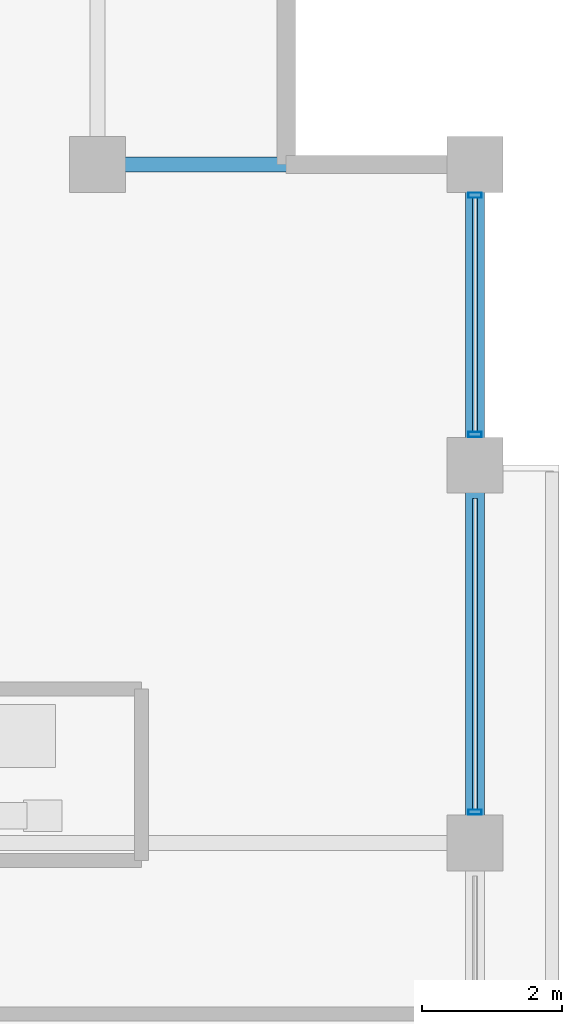
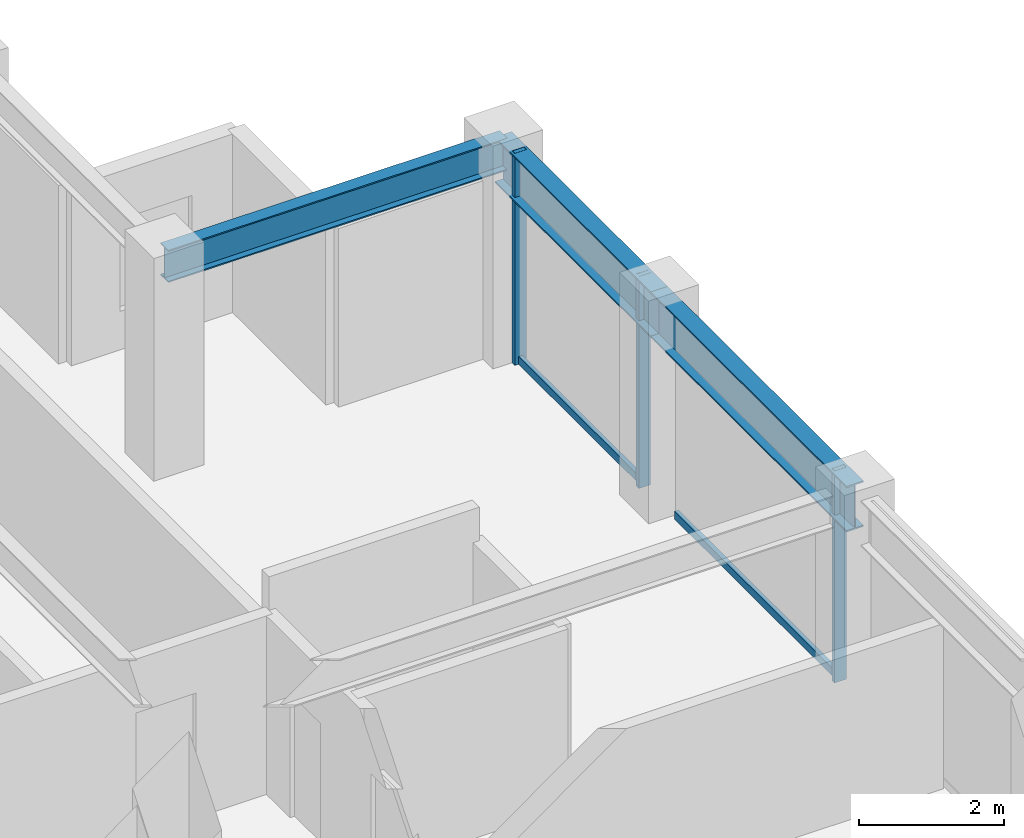
# One storey, part 20 of 28: 5 members, 3 beams, 1 element without a shape of its own.
"""IFC4 building model written with IfcOpenShell, lengths in metres."""

from ifc_helpers import new_model, si_unit, direction, frame, origin, origin_2d, place, context, subcontext, project, spatial, hollow_rectangle, i_section, extrude, material, layer, layer_set, material_profile, profile_set, type_object, element, aggregate, save


model = new_model("IFC4")

# Units and contexts
model_context = context("Model", 3, precision=1e-05, world=origin(), true_north=direction((0.0, 1.0)))
body_context = subcontext(model_context, "Body", "Model", "MODEL_VIEW")
ifc_project = project(units=[si_unit("LENGTHUNIT", "METRE"), si_unit("AREAUNIT", "SQUARE_METRE"), si_unit("VOLUMEUNIT", "CUBIC_METRE"), si_unit("PLANEANGLEUNIT", "RADIAN"), si_unit("MASSUNIT", "GRAM", prefix="KILO")], contexts=[model_context])

# Site, building, storey
site_placement = place(None, origin())
site = spatial("IfcSite", under=ifc_project, at=site_placement, CompositionType="ELEMENT")
building_placement = place(site_placement, origin())
building = spatial("IfcBuilding", under=site, at=building_placement, Name="Surkhivell Harbour Commons", CompositionType="ELEMENT")
storey_placement = place(building_placement, frame((0.0, 0.0, 238.5)))
storey = spatial("IfcBuildingStorey", under=building, at=storey_placement, Name="L62", CompositionType="ELEMENT", Elevation=238.5)

# Beams
ifc_material_1 = material(Name="Steel S355", Category="steel")
ifc_material_profile_1 = material_profile(ifc_material_1, i_section(OverallWidth=0.2119140625, OverallDepth=0.5439453125, WebThickness=0.0126953125, FlangeThickness=0.021240234375, at=origin_2d()), Name="UB533x210x122")
ifc_profile_set_1 = profile_set([ifc_material_profile_1], Name="Steel S355")
beam_type_1 = type_object("IfcBeamType", Name="BM-GRD-533A", PredefinedType="BEAM", material=ifc_profile_set_1)
beam_1_placement = place(storey_placement, frame((16.199951171875, 20.5, 3.298095703125), z_axis=(1.0, 0.0, 0.0), x_axis=(0.0, 1.0, 0.0)))
element("IfcBeam", 1, at=beam_1_placement, inside=storey, type_object=beam_type_1, Name="L62 Floor Girder (16.2,20.5)", PredefinedType="BEAM", context=body_context, shape_type="SweptSolid", body=[
    extrude(i_section(OverallWidth=0.2119140625, OverallDepth=0.5439453125, WebThickness=0.0126953125, FlangeThickness=0.021240234375, at=origin_2d()), origin(), (0.0, 0.0, 1.0), 5.400146484375),
])
ifc_material_profile_2 = material_profile(ifc_material_1, i_section(OverallWidth=0.26806640625, OverallDepth=0.77001953125, WebThickness=0.015625, FlangeThickness=0.025390625, at=origin_2d()), Name="UB762x267x197")
ifc_profile_set_2 = profile_set([ifc_material_profile_2], Name="Steel S355")
beam_type_2 = type_object("IfcBeamType", Name="BM-SPN-762", PredefinedType="SPANDREL", material=ifc_profile_set_2)
beam_2_placement = place(storey_placement, frame((21.60009765625, 10.800048828125, 3.18505859375), z_axis=(0.0, 1.0, 0.0), x_axis=(-1.0, 0.0, 0.0)))
element("IfcBeam", 2, at=beam_2_placement, inside=storey, type_object=beam_type_2, Name="L62 Tube Spandrel (21.6,10.8)", PredefinedType="SPANDREL", context=body_context, shape_type="SweptSolid", body=[
    extrude(i_section(OverallWidth=0.26806640625, OverallDepth=0.77001953125, WebThickness=0.015625, FlangeThickness=0.025390625, at=origin_2d()), origin(), (0.0, 0.0, 1.0), 5.39990234375),
])
beam_3_placement = place(storey_placement, frame((21.60009765625, 16.199951171875, 3.18505859375), z_axis=(0.0, 1.0, 0.0), x_axis=(-1.0, 0.0, 0.0)))
element("IfcBeam", 3, at=beam_3_placement, inside=storey, type_object=beam_type_2, Name="L62 Tube Spandrel (21.6,16.2)", PredefinedType="SPANDREL", context=body_context, shape_type="SweptSolid", body=[
    extrude(i_section(OverallWidth=0.26806640625, OverallDepth=0.77001953125, WebThickness=0.015625, FlangeThickness=0.025390625, at=origin_2d()), origin(), (0.0, 0.0, 1.0), 4.300048828125),
])

# Curtain wall, members
ifc_material_2 = material(Name="Anodised pale-metal aluminium and insulated glazing", Category="aluminium")
ifc_layer = layer(ifc_material_2, 0.18994140625)
ifc_layer_set = layer_set([ifc_layer], Name="Anodised pale-metal aluminium and insulated glazing")
curtain_wall_type = type_object("IfcCurtainWallType", Name="CW-SYS-Z3", PredefinedType="NOTDEFINED", material=ifc_layer_set)
curtain_wall_placement = place(storey_placement, origin())
curtain_wall = element("IfcCurtainWall", 4, at=curtain_wall_placement, inside=storey, type_object=curtain_wall_type, Name="L62 Curtain Wall CW-L62-E02R2", PredefinedType="NOTDEFINED")
ifc_material_3 = material(Name="Anodised pale-metal aluminium alloy 6063-T6", Category="aluminium")
ifc_material_profile_3 = material_profile(ifc_material_3, hollow_rectangle(XDim=0.074951171875, YDim=0.18994140625, WallThickness=0.00390625, at=origin_2d()), Name="ALU-MULL-75x190")
ifc_profile_set_3 = profile_set([ifc_material_profile_3], Name="Anodised pale-metal aluminium alloy 6063-T6")
member_type_1 = type_object("IfcMemberType", Name="CWM-190", PredefinedType="MULLION", material=ifc_profile_set_3)
member_1_placement = place(storey_placement, frame((21.60009765625, 11.239501953125, 0.0), z_axis=(0.0, 0.0, 1.0), x_axis=(0.0, 1.0, 0.0)))
member_1 = element("IfcMember", 5, at=member_1_placement, type_object=member_type_1, Name="CW-Z3 mullion 2", PredefinedType="MULLION", context=body_context, shape_type="SweptSolid", body=[
    extrude(hollow_rectangle(XDim=0.074951171875, YDim=0.18994140625, WallThickness=0.00390625, at=origin_2d()), origin(), (0.0, 0.0, 1.0), 3.570068359375),
])
member_2_placement = place(storey_placement, frame((21.60009765625, 16.639404296875, 0.0), z_axis=(0.0, 0.0, 1.0), x_axis=(0.0, 1.0, 0.0)))
member_2 = element("IfcMember", 6, at=member_2_placement, type_object=member_type_1, Name="CW-Z3 mullion 3", PredefinedType="MULLION", context=body_context, shape_type="SweptSolid", body=[
    extrude(hollow_rectangle(XDim=0.074951171875, YDim=0.18994140625, WallThickness=0.00390625, at=origin_2d()), origin(), (0.0, 0.0, 1.0), 3.570068359375),
])
member_3_placement = place(storey_placement, frame((21.60009765625, 20.060546875, 0.0), z_axis=(0.0, 0.0, 1.0), x_axis=(0.0, 1.0, 0.0)))
member_3 = element("IfcMember", 7, at=member_3_placement, type_object=member_type_1, Name="CW-Z3 mullion 4", PredefinedType="MULLION", context=body_context, shape_type="SweptSolid", body=[
    extrude(hollow_rectangle(XDim=0.074951171875, YDim=0.18994140625, WallThickness=0.00390625, at=origin_2d()), origin(), (0.0, 0.0, 1.0), 3.570068359375),
])
ifc_material_4 = material(Name="Champagne anodised aluminium alloy 6063-T6", Category="aluminium")
ifc_material_profile_4 = material_profile(ifc_material_4, hollow_rectangle(XDim=0.070068359375, YDim=0.1298828125, WallThickness=0.00341796875, at=origin_2d()), Name="ALU-TRAN-70x130")
ifc_profile_set_4 = profile_set([ifc_material_profile_4], Name="Champagne anodised aluminium alloy 6063-T6")
member_type_2 = type_object("IfcMemberType", Name="CWT-130", PredefinedType="USERDEFINED", material=ifc_profile_set_4)
member_4_placement = place(storey_placement, frame((21.60009765625, 11.277099609375, 0.06494140625), z_axis=(0.0, 1.0, 0.0), x_axis=(-1.0, 0.0, 0.0)))
member_4 = element("IfcMember", 8, at=member_4_placement, type_object=member_type_2, Name="CW-Z3 transom 2.1", ObjectType="TRANSOM", PredefinedType="USERDEFINED", context=body_context, shape_type="SweptSolid", body=[
    extrude(hollow_rectangle(XDim=0.070068359375, YDim=0.1298828125, WallThickness=0.00341796875, at=origin_2d()), origin(), (0.0, 0.0, 1.0), 4.44580078125),
])
member_5_placement = place(storey_placement, frame((21.60009765625, 16.677001953125, 0.06494140625), z_axis=(0.0, 1.0, 0.0), x_axis=(-1.0, 0.0, 0.0)))
member_5 = element("IfcMember", 9, at=member_5_placement, type_object=member_type_2, Name="CW-Z3 transom 3.1", ObjectType="TRANSOM", PredefinedType="USERDEFINED", context=body_context, shape_type="SweptSolid", body=[
    extrude(hollow_rectangle(XDim=0.070068359375, YDim=0.1298828125, WallThickness=0.00341796875, at=origin_2d()), origin(), (0.0, 0.0, 1.0), 3.345947265625),
])
aggregate(curtain_wall, [member_1, member_4, member_2, member_3, member_5])

save(model, "model.ifc")
